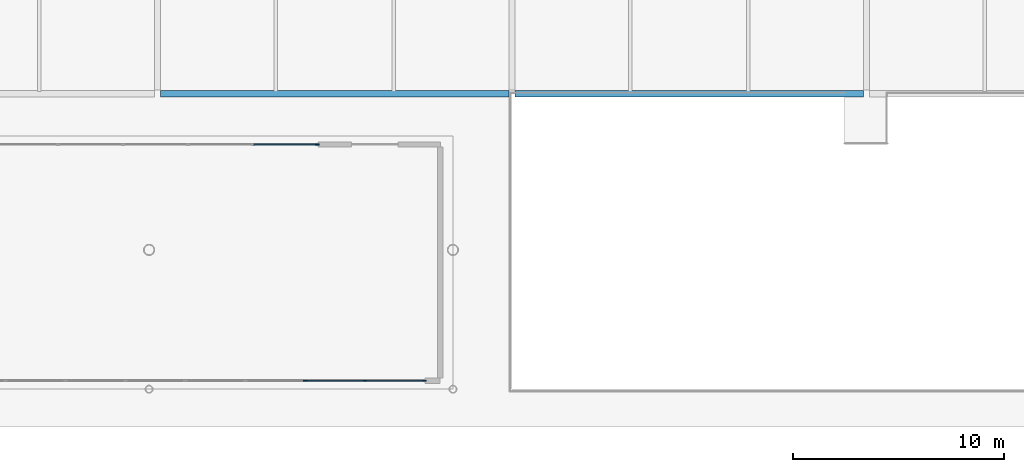
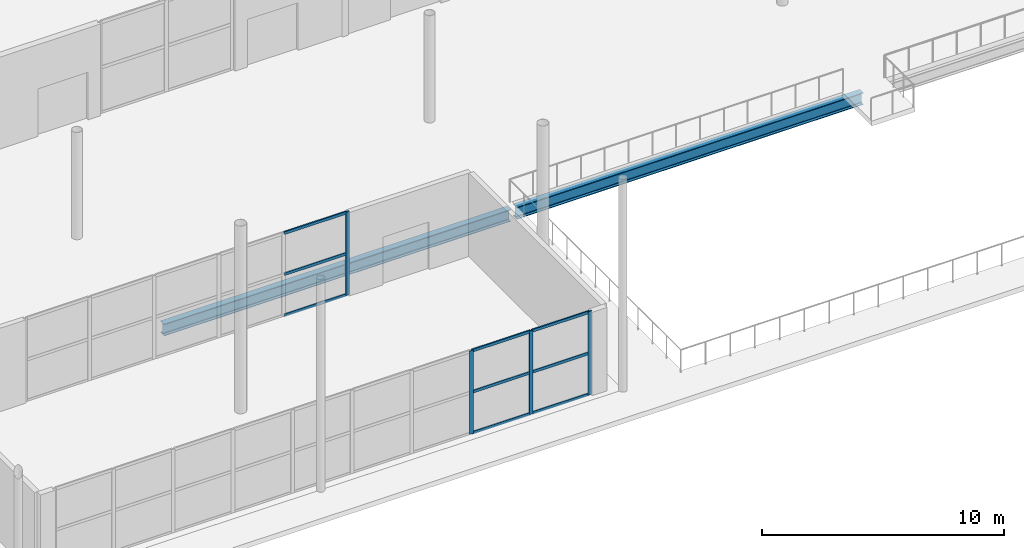
# One storey, part 24 of 87: 13 members, 2 beams, 2 elements without a shape of their own.
"""IFC4 building model written with IfcOpenShell, lengths in metres."""

import ifcopenshell
import ifcopenshell.guid

model = None  # the IFC model being written
_history = None  # IfcOwnerHistory: only IFC2X3 demands one
_inside = {}  # id of a spatial element -> (the spatial element, [elements in it])
_under = {}  # id of a project, library or spatial element -> (it, [spatial elements below it])
_declared = {}  # id of a project -> (the project, [libraries it declares])
_typed = {}  # id of a type object -> (the type object, [elements of that type])
_made_of = {}  # id of a material, layer set ... -> (it, [elements and type objects made of it])


def new_model(schema):
    """Start an empty IFC model of exactly this schema.

    Asked for "IFC4X3", IfcOpenShell would pick the latest addendum, in which some entities
    have other attributes; the version numbers below select the first issue.
    IFC2X3 requires an IfcOwnerHistory on every rooted entity: one is made here for all.
    """
    global model, _history
    if schema == "IFC4X3":
        model = ifcopenshell.file(schema_version=(4, 3, 0, 0))
    else:
        model = ifcopenshell.file(schema=schema)
    _inside.clear()
    _under.clear()
    _declared.clear()
    _typed.clear()
    _made_of.clear()
    _history = None
    if model.schema == "IFC2X3":
        org = make("IfcOrganization", Name="unknown")
        user = make(
            "IfcPersonAndOrganization",
            ThePerson=make("IfcPerson", FamilyName="unknown"),
            TheOrganization=org,
        )
        app = make(
            "IfcApplication",
            ApplicationDeveloper=org,
            Version="unknown",
            ApplicationFullName="unknown",
            ApplicationIdentifier="unknown",
        )
        _history = make(
            "IfcOwnerHistory",
            OwningUser=user,
            OwningApplication=app,
            ChangeAction="ADDED",
            CreationDate=0,
        )
    return model


def make(cls, **values):
    """One entity of the class cls with the attributes given. An attribute that is None is left unset."""
    return model.create_entity(
        cls, **{name: value for name, value in values.items() if value is not None}
    )


def rooted(cls, **values):
    """An entity with a GlobalId (a new one), such as an element, a storey or a relation."""
    return make(cls, GlobalId=ifcopenshell.guid.new(), OwnerHistory=_history, **values)


def si_unit(unit_type, name, prefix=None):
    """IfcSIUnit, for example si_unit("LENGTHUNIT", "METRE", prefix="MILLI")."""
    return make("IfcSIUnit", UnitType=unit_type, Prefix=prefix, Name=name)


def assignment(units):
    """IfcUnitAssignment: the units of a project."""
    return None if units is None else make("IfcUnitAssignment", Units=units)


def point(xyz):
    """IfcCartesianPoint."""
    return None if xyz is None else make("IfcCartesianPoint", Coordinates=xyz)


def direction(xyz):
    """IfcDirection."""
    return None if xyz is None else make("IfcDirection", DirectionRatios=xyz)


def frame(location, z_axis=None, x_axis=None):
    """IfcAxis2Placement3D, a coordinate frame: its origin and axes. An axis left out is left unset."""
    return make(
        "IfcAxis2Placement3D",
        Location=point(location),
        Axis=direction(z_axis),
        RefDirection=direction(x_axis),
    )


def frame_2d(location, x_axis=None):
    """IfcAxis2Placement2D, a coordinate frame in the plane: its origin and x axis."""
    return make(
        "IfcAxis2Placement2D", Location=point(location), RefDirection=direction(x_axis)
    )


def origin():
    """The frame at (0, 0, 0) with its axes left unset."""
    return frame((0.0, 0.0, 0.0))


def origin_2d():
    """The frame at (0, 0) in the plane with its x axis left unset."""
    return frame_2d((0.0, 0.0))


def place(relative_to, where):
    """IfcLocalPlacement: puts the frame where relative to a parent placement (None: the world)."""
    return make(
        "IfcLocalPlacement", PlacementRelTo=relative_to, RelativePlacement=where
    )


def context(
    kind, dimensions, precision=None, world=None, true_north=None, identifier=None
):
    """IfcGeometricRepresentationContext, for example the 3D "Model" context."""
    return make(
        "IfcGeometricRepresentationContext",
        ContextIdentifier=identifier,
        ContextType=kind,
        CoordinateSpaceDimension=dimensions,
        Precision=precision,
        WorldCoordinateSystem=world,
        TrueNorth=true_north,
    )


def subcontext(parent, identifier, kind, view, scale=None):
    """IfcGeometricRepresentationSubContext, for example "Body" below "Model"."""
    return make(
        "IfcGeometricRepresentationSubContext",
        ContextIdentifier=identifier,
        ContextType=kind,
        ParentContext=parent,
        TargetScale=scale,
        TargetView=view,
    )


def project(units=None, contexts=None):
    """IfcProject with its units and contexts."""
    return rooted(
        "IfcProject",
        Name="project",
        RepresentationContexts=contexts,
        UnitsInContext=assignment(units),
    )


def spatial(cls, under=None, at=None, **own):
    """A site, building, storey or space (cls), placed at a placement, below another one or the project."""
    s = rooted(cls, ObjectPlacement=at, **own)
    if under is not None:
        _under.setdefault(under.id(), (under, []))[1].append(s)
    return s


def profile(cls, at=None, kind="AREA", **sizes):
    """A parametric profile (cls). Its sizes go by their IFC names, for example OverallWidth=200.0."""
    return make(cls, ProfileType=kind, Position=at, **sizes)


def rectangle(**sizes):
    """IfcRectangleProfileDef."""
    return profile("IfcRectangleProfileDef", **sizes)


def i_section(**sizes):
    """IfcIShapeProfileDef."""
    return profile("IfcIShapeProfileDef", **sizes)


def extrude(swept, where, along, depth):
    """IfcExtrudedAreaSolid: the profile swept, set in the frame where, extruded along a direction by depth."""
    return make(
        "IfcExtrudedAreaSolid",
        SweptArea=swept,
        Position=where,
        ExtrudedDirection=direction(along),
        Depth=depth,
    )


def shape(context_of_items, identifier, shape_type, items):
    """IfcShapeRepresentation: the items that make up one representation, for example the "Body"."""
    return make(
        "IfcShapeRepresentation",
        ContextOfItems=context_of_items,
        RepresentationIdentifier=identifier,
        RepresentationType=shape_type,
        Items=items,
    )


def material(Name=None, Category=None):
    """IfcMaterial."""
    return make("IfcMaterial", Name=Name, Category=Category)


def material_profile(
    of_material, cross_section, Name=None, Category=None, Priority=None
):
    """IfcMaterialProfile: a cross section and its material."""
    return make(
        "IfcMaterialProfile",
        Name=Name,
        Material=of_material,
        Profile=cross_section,
        Priority=Priority,
        Category=Category,
    )


def profile_set(profiles, Name=None, composite=None):
    """IfcMaterialProfileSet."""
    return make(
        "IfcMaterialProfileSet",
        Name=Name,
        MaterialProfiles=profiles,
        CompositeProfile=composite,
    )


def made_of(thing, what):
    """Note that an element or type object is made of a material, layer set ...; save() writes the relation."""
    if what is not None:
        _made_of.setdefault(what.id(), (what, []))[1].append(thing)
    return thing


def type_object(cls, material=None, **own):
    """A type object (cls), such as IfcWallType, which elements share."""
    return made_of(rooted(cls, **own), material)


def element(
    cls,
    number,
    at=None,
    inside=None,
    cuts=None,
    type_object=None,
    material=None,
    context=None,
    identifier="Body",
    shape_type=None,
    held_by="IfcProductDefinitionShape",
    body=None,
    shapes=None,
    **own,
):
    """One element of the class cls, such as IfcWall. Its Tag is "e" and its number.

    at: its placement. inside: the storey or other place that contains it. cuts: it is an
    opening in that element (IfcRelVoidsElement). A single representation is given by context,
    identifier, shape_type and body (its items); several are given by shapes. held_by: the class
    of the entity that holds the representations. save() writes the other relations.
    """
    e = rooted(cls, Tag="e%d" % number, ObjectPlacement=at, **own)
    if body is not None:
        shapes = [shape(context, identifier, shape_type, body)]
    if shapes is not None:
        e.Representation = make(held_by, Representations=shapes)
    if inside is not None:
        _inside.setdefault(inside.id(), (inside, []))[1].append(e)
    if cuts is not None:
        rooted(
            "IfcRelVoidsElement", RelatingBuildingElement=cuts, RelatedOpeningElement=e
        )
    if type_object is not None:
        _typed.setdefault(type_object.id(), (type_object, []))[1].append(e)
    return made_of(e, material)


def aggregate(whole, parts):
    """IfcRelAggregates: a whole, such as a stair, and the parts it consists of."""
    return rooted("IfcRelAggregates", RelatingObject=whole, RelatedObjects=parts)


def save(model, path):
    """Write the relations noted so far, then the file.

    IfcRelAggregates (storeys below a building ...), IfcRelContainedInSpatialStructure (elements
    in a storey), IfcRelDefinesByType, IfcRelAssociatesMaterial and IfcRelDeclares: one each for
    every whole, place, type object, material and project.
    """
    for whole, parts in _under.values():
        aggregate(whole, parts)
    for where, things in _inside.values():
        rooted(
            "IfcRelContainedInSpatialStructure",
            RelatedElements=things,
            RelatingStructure=where,
        )
    for kind, things in _typed.values():
        rooted("IfcRelDefinesByType", RelatedObjects=things, RelatingType=kind)
    for what, things in _made_of.values():
        rooted("IfcRelAssociatesMaterial", RelatedObjects=things, RelatingMaterial=what)
    for by, libraries in _declared.values():
        rooted("IfcRelDeclares", RelatingContext=by, RelatedDefinitions=libraries)
    model.write(path)


model = new_model("IFC4")

# Units and contexts
model_context = context("Model", 3, precision=1e-05, world=origin(), true_north=direction((0.0, 1.0)))
body_context = subcontext(model_context, "Body", "Model", "MODEL_VIEW")
ifc_project = project(units=[si_unit("LENGTHUNIT", "METRE"), si_unit("AREAUNIT", "SQUARE_METRE"), si_unit("VOLUMEUNIT", "CUBIC_METRE"), si_unit("PLANEANGLEUNIT", "RADIAN"), si_unit("MASSUNIT", "GRAM", prefix="KILO")], contexts=[model_context])

# Site, building, storey
site_placement = place(None, origin())
site = spatial("IfcSite", under=ifc_project, at=site_placement, CompositionType="ELEMENT")
building_placement = place(site_placement, origin())
building = spatial("IfcBuilding", under=site, at=building_placement, Name="Kimbaza Rail Terminus", CompositionType="ELEMENT")
storey_placement = place(building_placement, origin())
storey = spatial("IfcBuildingStorey", under=building, at=storey_placement, Name="L00", CompositionType="ELEMENT", Elevation=0.0)

# Curtain wall, member
ifc_material_1 = material(Name="Anodised aluminium framing and solar low-E glazing", Category="aluminium")
curtain_wall_type = type_object("IfcCurtainWallType", Name="ARC-CW-PV1", PredefinedType="USERDEFINED", material=ifc_material_1)
curtain_wall_1_placement = place(storey_placement, origin())
curtain_wall_1 = element("IfcCurtainWall", 1, at=curtain_wall_1_placement, inside=storey, type_object=curtain_wall_type, Name="Taxi Waiting Pavilion North Curtain Wall", ObjectType="STICK CURTAIN WALL", PredefinedType="USERDEFINED")
ifc_material_2 = material(Name="Anodised architectural aluminium", Category="aluminium")
ifc_material_profile_1 = material_profile(ifc_material_2, rectangle(XDim=0.06494140625, YDim=0.175048828125, at=origin_2d()), Name="MULLION 65x175")
ifc_profile_set_1 = profile_set([ifc_material_profile_1], Name="Anodised architectural aluminium")
member_type_1 = type_object("IfcMemberType", Name="ARC-CWM-04", PredefinedType="MULLION", material=ifc_profile_set_1)
member_1_placement = place(storey_placement, frame((79.5673828125, 24.60009765625, 0.0), z_axis=(0.0, 0.0, 1.0), x_axis=(0.0, 1.0, 0.0)))
member_1 = element("IfcMember", 2, at=member_1_placement, type_object=member_type_1, Name="CW-04 mullion 6", PredefinedType="MULLION", context=body_context, shape_type="SweptSolid", body=[
    extrude(rectangle(XDim=0.06494140625, YDim=0.175048828125, at=origin_2d()), origin(), (0.0, 0.0, 1.0), 4.199951171875),
])

# Curtain wall, members
curtain_wall_2_placement = place(storey_placement, origin())
curtain_wall_2 = element("IfcCurtainWall", 3, at=curtain_wall_2_placement, inside=storey, type_object=curtain_wall_type, Name="Taxi Waiting Pavilion South Curtain Wall", ObjectType="STICK CURTAIN WALL", PredefinedType="USERDEFINED")
member_2_placement = place(storey_placement, frame((79.0, 13.39990234375, 0.0), z_axis=(0.0, 0.0, 1.0), x_axis=(0.0, 1.0, 0.0)))
member_2 = element("IfcMember", 4, at=member_2_placement, type_object=member_type_1, Name="CW-04 mullion 8", PredefinedType="MULLION", context=body_context, shape_type="SweptSolid", body=[
    extrude(rectangle(XDim=0.06494140625, YDim=0.175048828125, at=origin_2d()), origin(), (0.0, 0.0, 1.0), 4.199951171875),
])
member_3_placement = place(storey_placement, frame((81.840087890625, 13.39990234375, 0.0), z_axis=(0.0, 0.0, 1.0), x_axis=(0.0, 1.0, 0.0)))
member_3 = element("IfcMember", 5, at=member_3_placement, type_object=member_type_1, Name="CW-04 mullion 9", PredefinedType="MULLION", context=body_context, shape_type="SweptSolid", body=[
    extrude(rectangle(XDim=0.06494140625, YDim=0.175048828125, at=origin_2d()), origin(), (0.0, 0.0, 1.0), 4.199951171875),
])
member_4_placement = place(storey_placement, frame((84.6474609375, 13.39990234375, 0.0), z_axis=(0.0, 0.0, 1.0), x_axis=(0.0, 1.0, 0.0)))
member_4 = element("IfcMember", 6, at=member_4_placement, type_object=member_type_1, Name="CW-04 mullion 10", PredefinedType="MULLION", context=body_context, shape_type="SweptSolid", body=[
    extrude(rectangle(XDim=0.06494140625, YDim=0.175048828125, at=origin_2d()), origin(), (0.0, 0.0, 1.0), 4.199951171875),
])

# Member
ifc_material_3 = material(Name="Anodised architectural aluminium", Category="aluminium")
ifc_material_profile_2 = material_profile(ifc_material_3, rectangle(XDim=0.06494140625, YDim=0.139892578125, at=origin_2d()), Name="TRANSOM 65x140")
ifc_profile_set_2 = profile_set([ifc_material_profile_2], Name="Anodised architectural aluminium")
member_type_2 = type_object("IfcMemberType", Name="ARC-CWT-04", PredefinedType="USERDEFINED", material=ifc_profile_set_2)
member_5_placement = place(storey_placement, frame((76.552490234375, 24.60009765625, 0.032470703125), z_axis=(1.0, 0.0, 0.0), x_axis=(0.0, 1.0, 0.0)))
member_5 = element("IfcMember", 7, at=member_5_placement, type_object=member_type_2, Name="CW-04 transom 5.1", ObjectType="TRANSOM", PredefinedType="USERDEFINED", context=body_context, shape_type="SweptSolid", body=[
    extrude(rectangle(XDim=0.06494140625, YDim=0.139892578125, at=origin_2d()), origin(), (0.0, 0.0, 1.0), 2.982421875),
])

member_6_placement = place(storey_placement, frame((76.552490234375, 24.60009765625, 2.10009765625), z_axis=(1.0, 0.0, 0.0), x_axis=(0.0, 1.0, 0.0)))
member_6 = element("IfcMember", 8, at=member_6_placement, type_object=member_type_2, Name="CW-04 transom 5.2", ObjectType="TRANSOM", PredefinedType="USERDEFINED", context=body_context, shape_type="SweptSolid", body=[
    extrude(rectangle(XDim=0.06494140625, YDim=0.139892578125, at=origin_2d()), origin(), (0.0, 0.0, 1.0), 2.982421875),
])

member_7_placement = place(storey_placement, frame((76.552490234375, 24.60009765625, 4.16748046875), z_axis=(1.0, 0.0, 0.0), x_axis=(0.0, 1.0, 0.0)))
member_7 = element("IfcMember", 9, at=member_7_placement, type_object=member_type_2, Name="CW-04 transom 5.3", ObjectType="TRANSOM", PredefinedType="USERDEFINED", context=body_context, shape_type="SweptSolid", body=[
    extrude(rectangle(XDim=0.06494140625, YDim=0.139892578125, at=origin_2d()), origin(), (0.0, 0.0, 1.0), 2.982421875),
])

aggregate(curtain_wall_1, [member_1, member_5, member_6, member_7])

member_8_placement = place(storey_placement, frame((79.032470703125, 13.39990234375, 0.032470703125), z_axis=(1.0, 0.0, 0.0), x_axis=(0.0, 1.0, 0.0)))
member_8 = element("IfcMember", 10, at=member_8_placement, type_object=member_type_2, Name="CW-04 transom 8.1", ObjectType="TRANSOM", PredefinedType="USERDEFINED", context=body_context, shape_type="SweptSolid", body=[
    extrude(rectangle(XDim=0.06494140625, YDim=0.139892578125, at=origin_2d()), origin(), (0.0, 0.0, 1.0), 2.775146484375),
])

member_9_placement = place(storey_placement, frame((79.032470703125, 13.39990234375, 2.10009765625), z_axis=(1.0, 0.0, 0.0), x_axis=(0.0, 1.0, 0.0)))
member_9 = element("IfcMember", 11, at=member_9_placement, type_object=member_type_2, Name="CW-04 transom 8.2", ObjectType="TRANSOM", PredefinedType="USERDEFINED", context=body_context, shape_type="SweptSolid", body=[
    extrude(rectangle(XDim=0.06494140625, YDim=0.139892578125, at=origin_2d()), origin(), (0.0, 0.0, 1.0), 2.775146484375),
])

member_10_placement = place(storey_placement, frame((79.032470703125, 13.39990234375, 4.16748046875), z_axis=(1.0, 0.0, 0.0), x_axis=(0.0, 1.0, 0.0)))
member_10 = element("IfcMember", 12, at=member_10_placement, type_object=member_type_2, Name="CW-04 transom 8.3", ObjectType="TRANSOM", PredefinedType="USERDEFINED", context=body_context, shape_type="SweptSolid", body=[
    extrude(rectangle(XDim=0.06494140625, YDim=0.139892578125, at=origin_2d()), origin(), (0.0, 0.0, 1.0), 2.775146484375),
])

member_11_placement = place(storey_placement, frame((81.87255859375, 13.39990234375, 0.032470703125), z_axis=(1.0, 0.0, 0.0), x_axis=(0.0, 1.0, 0.0)))
member_11 = element("IfcMember", 13, at=member_11_placement, type_object=member_type_2, Name="CW-04 transom 9.1", ObjectType="TRANSOM", PredefinedType="USERDEFINED", context=body_context, shape_type="SweptSolid", body=[
    extrude(rectangle(XDim=0.06494140625, YDim=0.139892578125, at=origin_2d()), origin(), (0.0, 0.0, 1.0), 2.742431640625),
])

member_12_placement = place(storey_placement, frame((81.87255859375, 13.39990234375, 2.10009765625), z_axis=(1.0, 0.0, 0.0), x_axis=(0.0, 1.0, 0.0)))
member_12 = element("IfcMember", 14, at=member_12_placement, type_object=member_type_2, Name="CW-04 transom 9.2", ObjectType="TRANSOM", PredefinedType="USERDEFINED", context=body_context, shape_type="SweptSolid", body=[
    extrude(rectangle(XDim=0.06494140625, YDim=0.139892578125, at=origin_2d()), origin(), (0.0, 0.0, 1.0), 2.742431640625),
])

member_13_placement = place(storey_placement, frame((81.87255859375, 13.39990234375, 4.16748046875), z_axis=(1.0, 0.0, 0.0), x_axis=(0.0, 1.0, 0.0)))
member_13 = element("IfcMember", 15, at=member_13_placement, type_object=member_type_2, Name="CW-04 transom 9.3", ObjectType="TRANSOM", PredefinedType="USERDEFINED", context=body_context, shape_type="SweptSolid", body=[
    extrude(rectangle(XDim=0.06494140625, YDim=0.139892578125, at=origin_2d()), origin(), (0.0, 0.0, 1.0), 2.742431640625),
])

aggregate(curtain_wall_2, [member_2, member_3, member_4, member_8, member_9, member_10, member_11, member_12, member_13])

# Beams
ifc_material_4 = material(Name="Steel S355", Category="steel")
ifc_material_profile_3 = material_profile(ifc_material_4, i_section(OverallWidth=0.300048828125, OverallDepth=0.60009765625, WebThickness=0.015380859375, FlangeThickness=0.030029296875, FilletRadius=0.027099609375, at=origin_2d()), Name="HEB 600")
ifc_profile_set_3 = profile_set([ifc_material_profile_3], Name="Steel S355")
beam_type = type_object("IfcBeamType", Name="STR-BM-HEB600", PredefinedType="BEAM", material=ifc_profile_set_3)
for number, where, z_axis, x_axis, name in (
    (16, (72.14599609375, 27.0, -0.550048828125), (1.0, 0.0, 0.0), (0.0, 1.0, 0.0), "Beam BM-V2X-L00-0-1"),
    (17, (88.946044921875, 27.0, -0.550048828125), (1.0, 0.0, 0.0), (0.0, 1.0, 0.0), "Beam BM-V2X-L00-0-2"),
):
    element("IfcBeam", number, at=place(storey_placement, frame(where, z_axis=z_axis, x_axis=x_axis)), inside=storey, type_object=beam_type, Name=name, PredefinedType="BEAM", context=body_context, shape_type="SweptSolid", body=[
        extrude(i_section(OverallWidth=0.300048828125, OverallDepth=0.60009765625, WebThickness=0.015380859375, FlangeThickness=0.030029296875, FilletRadius=0.027099609375, at=origin_2d()), origin(), (0.0, 0.0, 1.0), 16.508056640625),
    ])

save(model, "model.ifc")
